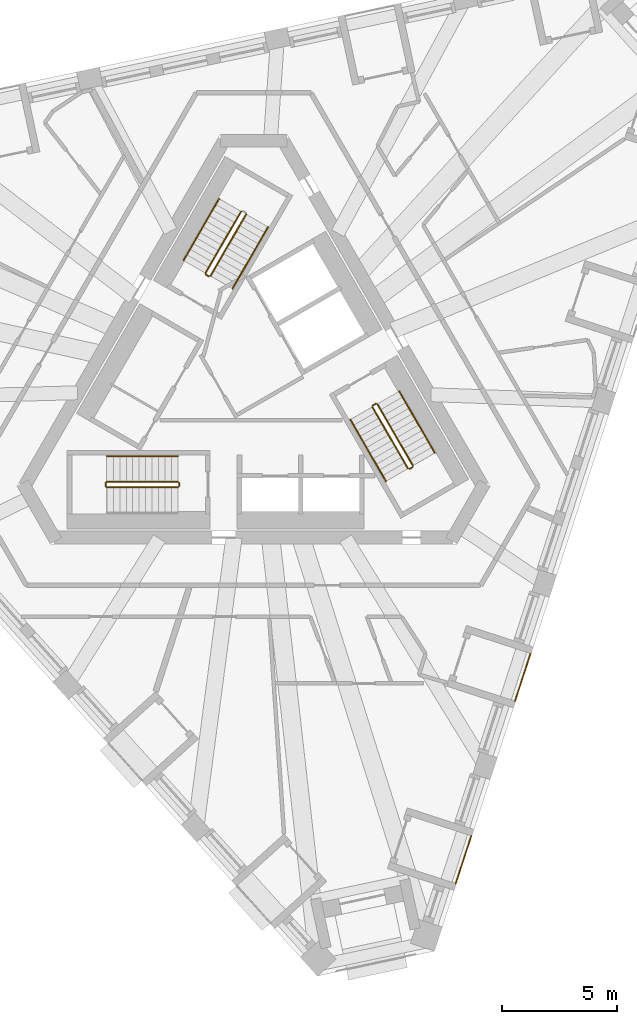
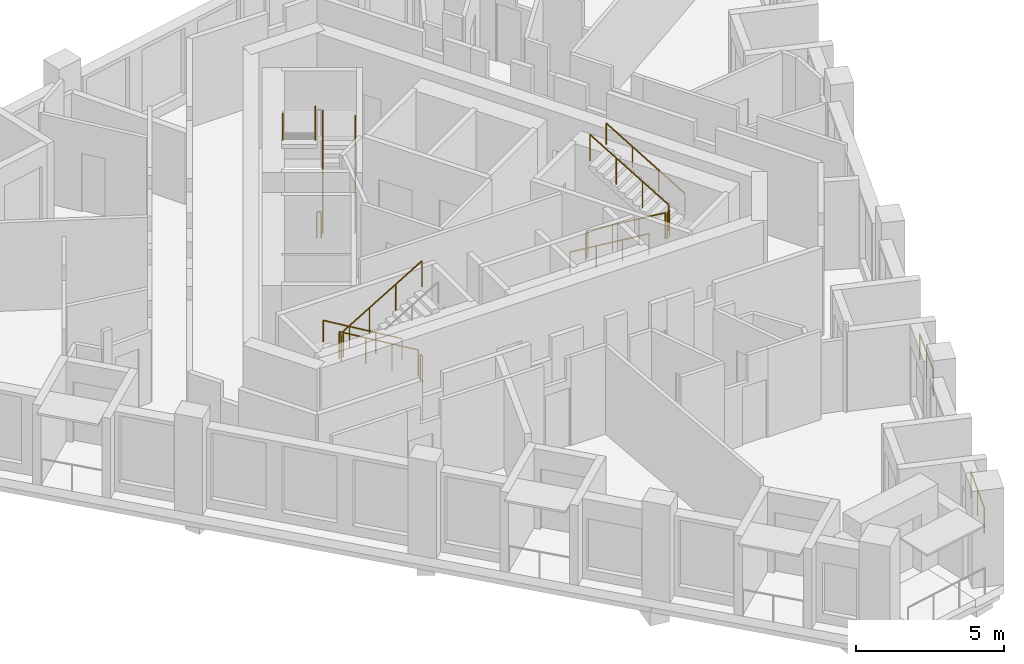
# One storey, part 10 of 12: 18 railings.
"""IFC4 building model written with IfcOpenShell, lengths in metres."""

from ifc_helpers import new_model, si_unit, direction, frame, origin, origin_2d, place, context, subcontext, project, spatial, circle, extrude, material, type_object, element, save


model = new_model("IFC4")

# Units and contexts
model_context = context("Model", 3, precision=1e-05, world=origin(), true_north=direction((0.0, 1.0)))
body_context = subcontext(model_context, "Body", "Model", "MODEL_VIEW")
ifc_project = project(units=[si_unit("LENGTHUNIT", "METRE"), si_unit("AREAUNIT", "SQUARE_METRE"), si_unit("VOLUMEUNIT", "CUBIC_METRE"), si_unit("PLANEANGLEUNIT", "RADIAN"), si_unit("MASSUNIT", "GRAM", prefix="KILO")], contexts=[model_context])

# Site, building, storey
site_placement = place(None, origin())
site = spatial("IfcSite", under=ifc_project, at=site_placement, CompositionType="ELEMENT")
building_placement = place(site_placement, origin())
building = spatial("IfcBuilding", under=site, at=building_placement, Name="Tramontana Tower", CompositionType="ELEMENT")
storey_placement = place(building_placement, frame((0.0, 0.0, 340.39990234375)))
storey = spatial("IfcBuildingStorey", under=building, at=storey_placement, Name="L78", CompositionType="ELEMENT", Elevation=340.39990234375)

# Railings
ifc_material_1 = material(Name="Laminated glass balustrade", Category="glass")
railing_type_1 = type_object("IfcRailingType", Name="GD1 Loggia glass balustrade 1100", PredefinedType="BALUSTRADE", material=ifc_material_1)
for number, where, name in (
    (1, (8.763671875, -21.472412109375, 0.0), "Loggia balustrade L78 G8S1.1"),
    (2, (11.332763671875, -13.5654296875, 0.0), "Loggia balustrade L78 G8S1.4"),
):
    element("IfcRailing", number, at=place(storey_placement, frame(where)), inside=storey, type_object=railing_type_1, Name=name, PredefinedType="BALUSTRADE", context=body_context, shape_type="SweptSolid", body=[
        extrude(circle(Radius=0.02392578125, at=origin_2d()), frame((0.0, 0.0, 1.076171875), z_axis=(0.308999623589, 0.95106216023, 0.0), x_axis=(-0.95106216023, 0.308999623589, 0.0)), (0.0, 0.0, 1.0), 2.171142578125),
        extrude(circle(Radius=0.02099609375, at=origin_2d()), origin(), (0.0, 0.0, 1.0), 1.052001953125),
        extrude(circle(Radius=0.02099609375, at=origin_2d()), frame((0.33544921875, 1.032470703125, 0.0)), (0.0, 0.0, 1.0), 1.052001953125),
        extrude(circle(Radius=0.02099609375, at=origin_2d()), frame((0.6708984375, 2.06494140625, 0.0)), (0.0, 0.0, 1.0), 1.052001953125),
    ])
ifc_material_2 = material(Name="Painted steel", Category="steel")
railing_type_2 = type_object("IfcRailingType", Name="STAIR GUARD 1100", PredefinedType="GUARDRAIL", material=ifc_material_2)
railing_1_placement = place(storey_placement, frame((-1.867431640625, 4.865478515625, 0.166748046875)))
element("IfcRailing", 3, at=railing_1_placement, inside=storey, type_object=railing_type_2, Name="L78 ST1 stair guard 1", PredefinedType="GUARDRAIL", context=body_context, shape_type="SweptSolid", body=[
    extrude(circle(Radius=0.02392578125, at=origin_2d()), frame((0.0, 0.0, 1.076171875), z_axis=(0.429649414936, 0.744189839504, 0.511451721109), x_axis=(-0.866029832698, 0.499992328818, 0.0)), (0.0, 0.0, 1.0), 3.58447265625),
    extrude(circle(Radius=0.02099609375, at=origin_2d()), origin(), (0.0, 0.0, 1.0), 1.052001953125),
    extrude(circle(Radius=0.02099609375, at=origin_2d()), frame((0.513427734375, 0.88916015625, 0.611083984375)), (0.0, 0.0, 1.0), 1.052001953125),
    extrude(circle(Radius=0.02099609375, at=origin_2d()), frame((1.026611328125, 1.7783203125, 1.22216796875)), (0.0, 0.0, 1.0), 1.052001953125),
    extrude(circle(Radius=0.02099609375, at=origin_2d()), frame((1.5400390625, 2.66748046875, 1.833251953125)), (0.0, 0.0, 1.0), 1.052001953125),
])
railing_2_placement = place(storey_placement, frame((-0.5439453125, 7.657958984375, 2.166748046875)))
element("IfcRailing", 4, at=railing_2_placement, inside=storey, type_object=railing_type_2, Name="L78 ST1 stair guard 2", PredefinedType="GUARDRAIL", context=body_context, shape_type="SweptSolid", body=[
    extrude(circle(Radius=0.02392578125, at=origin_2d()), frame((0.0, 0.0, 1.076171875), z_axis=(-0.429649414936, -0.744189839504, 0.511451721109), x_axis=(0.866029832698, -0.499992328818, 0.0)), (0.0, 0.0, 1.0), 3.58447265625),
    extrude(circle(Radius=0.02099609375, at=origin_2d()), origin(), (0.0, 0.0, 1.0), 1.052001953125),
    extrude(circle(Radius=0.02099609375, at=origin_2d()), frame((-0.513427734375, -0.88916015625, 0.611083984375)), (0.0, 0.0, 1.0), 1.052001953125),
    extrude(circle(Radius=0.02099609375, at=origin_2d()), frame((-1.026611328125, -1.7783203125, 1.22216796875)), (0.0, 0.0, 1.0), 1.052001953125),
    extrude(circle(Radius=0.02099609375, at=origin_2d()), frame((-1.5400390625, -2.66748046875, 1.833251953125)), (0.0, 0.0, 1.0), 1.052001953125),
])
railing_3_placement = place(storey_placement, frame((-1.935791015625, 4.84716796875, 0.0)))
element("IfcRailing", 5, at=railing_3_placement, inside=storey, type_object=railing_type_2, Name="L78 ST1 stair guard 4", PredefinedType="GUARDRAIL", context=body_context, shape_type="SweptSolid", body=[
    extrude(circle(Radius=0.02392578125, at=origin_2d()), frame((0.0, 0.0, 1.076171875), z_axis=(-0.865426285481, 0.501036270542, 0.0), x_axis=(-0.501036270542, -0.865426285481, 0.0)), (0.0, 0.0, 1.0), 0.150146484375),
    extrude(circle(Radius=0.02099609375, at=origin_2d()), origin(), (0.0, 0.0, 1.0), 1.052001953125),
    extrude(circle(Radius=0.02099609375, at=origin_2d()), frame((-0.1298828125, 0.0751953125, 0.0)), (0.0, 0.0, 1.0), 1.052001953125),
])
railing_4_placement = place(storey_placement, frame((-3.280029296875, -4.050048828125, 0.166748046875)))
element("IfcRailing", 6, at=railing_4_placement, inside=storey, type_object=railing_type_2, Name="L78 ST2 stair guard 1", PredefinedType="GUARDRAIL", context=body_context, shape_type="SweptSolid", body=[
    extrude(circle(Radius=0.02392578125, at=origin_2d()), frame((0.0, 0.0, 1.076171875), z_axis=(-0.859308565015, 0.0, 0.511457515432), x_axis=(0.0, -1.0, 0.0)), (0.0, 0.0, 1.0), 3.58447265625),
    extrude(circle(Radius=0.02099609375, at=origin_2d()), origin(), (0.0, 0.0, 1.0), 1.052001953125),
    extrude(circle(Radius=0.02099609375, at=origin_2d()), frame((-1.026611328125, 0.0, 0.611083984375)), (0.0, 0.0, 1.0), 1.052001953125),
    extrude(circle(Radius=0.02099609375, at=origin_2d()), frame((-2.053466796875, 0.0, 1.22216796875)), (0.0, 0.0, 1.0), 1.052001953125),
    extrude(circle(Radius=0.02099609375, at=origin_2d()), frame((-3.080078125, 0.0, 1.833251953125)), (0.0, 0.0, 1.0), 1.052001953125),
])
railing_5_placement = place(storey_placement, frame((-6.360107421875, -4.300048828125, 2.166748046875)))
element("IfcRailing", 7, at=railing_5_placement, inside=storey, type_object=railing_type_2, Name="L78 ST2 stair guard 2", PredefinedType="GUARDRAIL", context=body_context, shape_type="SweptSolid", body=[
    extrude(circle(Radius=0.02392578125, at=origin_2d()), frame((0.0, 0.0, 1.076171875), z_axis=(0.859308565015, 0.0, 0.511457515432), x_axis=(0.0, 1.0, 0.0)), (0.0, 0.0, 1.0), 3.58447265625),
    extrude(circle(Radius=0.02099609375, at=origin_2d()), origin(), (0.0, 0.0, 1.0), 1.052001953125),
    extrude(circle(Radius=0.02099609375, at=origin_2d()), frame((1.026611328125, 0.0, 0.611083984375)), (0.0, 0.0, 1.0), 1.052001953125),
    extrude(circle(Radius=0.02099609375, at=origin_2d()), frame((2.053466796875, 0.0, 1.22216796875)), (0.0, 0.0, 1.0), 1.052001953125),
    extrude(circle(Radius=0.02099609375, at=origin_2d()), frame((3.080078125, 0.0, 1.833251953125)), (0.0, 0.0, 1.0), 1.052001953125),
])
for number, where, name in (
    (8, (-6.409912109375, -4.10009765625, 2.0), "L78 ST2 stair guard 3"),
    (9, (-3.22998046875, -4.10009765625, 0.0), "L78 ST2 stair guard 4"),
):
    element("IfcRailing", number, at=place(storey_placement, frame(where)), inside=storey, type_object=railing_type_2, Name=name, PredefinedType="GUARDRAIL", context=body_context, shape_type="SweptSolid", body=[
        extrude(circle(Radius=0.02392578125, at=origin_2d()), frame((0.0, 0.0, 1.076171875), z_axis=(0.0, -1.0, 0.0), x_axis=(1.0, 0.0, 0.0)), (0.0, 0.0, 1.0), 0.14990234375),
        extrude(circle(Radius=0.02099609375, at=origin_2d()), origin(), (0.0, 0.0, 1.0), 1.052001953125),
        extrude(circle(Radius=0.02099609375, at=origin_2d()), frame((0.0, -0.14990234375, 0.0)), (0.0, 0.0, 1.0), 1.052001953125),
    ])
railing_6_placement = place(storey_placement, frame((5.1474609375, -0.815673828125, 0.166748046875)))
element("IfcRailing", 10, at=railing_6_placement, inside=storey, type_object=railing_type_2, Name="L78 ST3 stair guard 1", PredefinedType="GUARDRAIL", context=body_context, shape_type="SweptSolid", body=[
    extrude(circle(Radius=0.02392578125, at=origin_2d()), frame((0.0, 0.0, 1.076171875), z_axis=(0.429671193721, -0.744159446956, 0.511477646425), x_axis=(0.866010015463, 0.500026652407, 0.0)), (0.0, 0.0, 1.0), 3.584228515625),
    extrude(circle(Radius=0.02099609375, at=origin_2d()), origin(), (0.0, 0.0, 1.0), 1.052001953125),
    extrude(circle(Radius=0.02099609375, at=origin_2d()), frame((0.513427734375, -0.88916015625, 0.611083984375)), (0.0, 0.0, 1.0), 1.052001953125),
    extrude(circle(Radius=0.02099609375, at=origin_2d()), frame((1.026611328125, -1.778076171875, 1.22216796875)), (0.0, 0.0, 1.0), 1.052001953125),
    extrude(circle(Radius=0.02099609375, at=origin_2d()), frame((1.5400390625, -2.667236328125, 1.833251953125)), (0.0, 0.0, 1.0), 1.052001953125),
])
railing_7_placement = place(storey_placement, frame((6.90380859375, -3.35791015625, 2.166748046875)))
element("IfcRailing", 11, at=railing_7_placement, inside=storey, type_object=railing_type_2, Name="L78 ST3 stair guard 2", PredefinedType="GUARDRAIL", context=body_context, shape_type="SweptSolid", body=[
    extrude(circle(Radius=0.02392578125, at=origin_2d()), frame((0.0, 0.0, 1.076171875), z_axis=(-0.429615651263, 0.74418122563, 0.511492615401), x_axis=(-0.866044340336, -0.499967199496, 0.0)), (0.0, 0.0, 1.0), 3.584228515625),
    extrude(circle(Radius=0.02099609375, at=origin_2d()), origin(), (0.0, 0.0, 1.0), 1.052001953125),
    extrude(circle(Radius=0.02099609375, at=origin_2d()), frame((-0.51318359375, 0.88916015625, 0.611083984375)), (0.0, 0.0, 1.0), 1.052001953125),
    extrude(circle(Radius=0.02099609375, at=origin_2d()), frame((-1.026611328125, 1.778076171875, 1.22216796875)), (0.0, 0.0, 1.0), 1.052001953125),
    extrude(circle(Radius=0.02099609375, at=origin_2d()), frame((-1.539794921875, 2.667236328125, 1.833251953125)), (0.0, 0.0, 1.0), 1.052001953125),
])
for number, where, name in (
    (12, (6.755615234375, -3.501220703125, 2.0), "L78 ST3 stair guard 3"),
    (13, (5.165771484375, -0.747314453125, 0.0), "L78 ST3 stair guard 4"),
):
    element("IfcRailing", number, at=place(storey_placement, frame(where)), inside=storey, type_object=railing_type_2, Name=name, PredefinedType="GUARDRAIL", context=body_context, shape_type="SweptSolid", body=[
        extrude(circle(Radius=0.02392578125, at=origin_2d()), frame((0.0, 0.0, 1.076171875), z_axis=(0.866131372301, 0.499816412211, 0.0), x_axis=(-0.499816412211, 0.866131372301, 0.0)), (0.0, 0.0, 1.0), 0.14990234375),
        extrude(circle(Radius=0.02099609375, at=origin_2d()), origin(), (0.0, 0.0, 1.0), 1.052001953125),
        extrude(circle(Radius=0.02099609375, at=origin_2d()), frame((0.1298828125, 0.074951171875, 0.0)), (0.0, 0.0, 1.0), 1.052001953125),
    ])
ifc_material_3 = material(Name="Painted steel", Category="steel")
railing_type_3 = type_object("IfcRailingType", Name="STAIR HANDRAIL 900", PredefinedType="HANDRAIL", material=ifc_material_3)
railing_8_placement = place(storey_placement, frame((-0.914794921875, 4.315673828125, 0.166748046875)))
element("IfcRailing", 14, at=railing_8_placement, inside=storey, type_object=railing_type_3, Name="L78 ST1 stair handrail 1", PredefinedType="HANDRAIL", context=body_context, shape_type="SweptSolid", body=[
    extrude(circle(Radius=0.02392578125, at=origin_2d()), frame((0.0, 0.0, 0.8759765625), z_axis=(0.429671193721, 0.744159446956, 0.511477646425), x_axis=(-0.866010015463, 0.500026652407, 0.0)), (0.0, 0.0, 1.0), 3.584228515625),
    extrude(circle(Radius=0.02099609375, at=origin_2d()), origin(), (0.0, 0.0, 1.0), 0.851806640625),
    extrude(circle(Radius=0.02099609375, at=origin_2d()), frame((0.513427734375, 0.88916015625, 0.611083984375)), (0.0, 0.0, 1.0), 0.851806640625),
    extrude(circle(Radius=0.02099609375, at=origin_2d()), frame((1.026611328125, 1.778076171875, 1.22216796875)), (0.0, 0.0, 1.0), 0.851806640625),
    extrude(circle(Radius=0.02099609375, at=origin_2d()), frame((1.5400390625, 2.667236328125, 1.833251953125)), (0.0, 0.0, 1.0), 0.851806640625),
])
railing_9_placement = place(storey_placement, frame((-1.49658203125, 8.2080078125, 2.166748046875)))
element("IfcRailing", 15, at=railing_9_placement, inside=storey, type_object=railing_type_3, Name="L78 ST1 stair handrail 2", PredefinedType="HANDRAIL", context=body_context, shape_type="SweptSolid", body=[
    extrude(circle(Radius=0.02392578125, at=origin_2d()), frame((0.0, 0.0, 0.8759765625), z_axis=(-0.429649414936, -0.744189839504, 0.511451721109), x_axis=(0.866029832698, -0.499992328818, 0.0)), (0.0, 0.0, 1.0), 3.58447265625),
    extrude(circle(Radius=0.02099609375, at=origin_2d()), origin(), (0.0, 0.0, 1.0), 0.851806640625),
    extrude(circle(Radius=0.02099609375, at=origin_2d()), frame((-0.513427734375, -0.88916015625, 0.611083984375)), (0.0, 0.0, 1.0), 0.851806640625),
    extrude(circle(Radius=0.02099609375, at=origin_2d()), frame((-1.026611328125, -1.7783203125, 1.22216796875)), (0.0, 0.0, 1.0), 0.851806640625),
    extrude(circle(Radius=0.02099609375, at=origin_2d()), frame((-1.5400390625, -2.66748046875, 1.833251953125)), (0.0, 0.0, 1.0), 0.851806640625),
])
railing_10_placement = place(storey_placement, frame((-3.280029296875, -2.949951171875, 0.166748046875)))
element("IfcRailing", 16, at=railing_10_placement, inside=storey, type_object=railing_type_3, Name="L78 ST2 stair handrail 1", PredefinedType="HANDRAIL", context=body_context, shape_type="SweptSolid", body=[
    extrude(circle(Radius=0.02392578125, at=origin_2d()), frame((0.0, 0.0, 0.8759765625), z_axis=(-0.859308565015, 0.0, 0.511457515432), x_axis=(0.0, -1.0, 0.0)), (0.0, 0.0, 1.0), 3.58447265625),
    extrude(circle(Radius=0.02099609375, at=origin_2d()), origin(), (0.0, 0.0, 1.0), 0.851806640625),
    extrude(circle(Radius=0.02099609375, at=origin_2d()), frame((-1.026611328125, 0.0, 0.611083984375)), (0.0, 0.0, 1.0), 0.851806640625),
    extrude(circle(Radius=0.02099609375, at=origin_2d()), frame((-2.053466796875, 0.0, 1.22216796875)), (0.0, 0.0, 1.0), 0.851806640625),
    extrude(circle(Radius=0.02099609375, at=origin_2d()), frame((-3.080078125, 0.0, 1.833251953125)), (0.0, 0.0, 1.0), 0.851806640625),
])
railing_11_placement = place(storey_placement, frame((4.19482421875, -1.365478515625, 0.166748046875)))
element("IfcRailing", 17, at=railing_11_placement, inside=storey, type_object=railing_type_3, Name="L78 ST3 stair handrail 1", PredefinedType="HANDRAIL", context=body_context, shape_type="SweptSolid", body=[
    extrude(circle(Radius=0.02392578125, at=origin_2d()), frame((0.0, 0.0, 0.8759765625), z_axis=(0.429649414936, -0.744189839504, 0.511451721109), x_axis=(0.866029832698, 0.499992328818, 0.0)), (0.0, 0.0, 1.0), 3.58447265625),
    extrude(circle(Radius=0.02099609375, at=origin_2d()), origin(), (0.0, 0.0, 1.0), 0.851806640625),
    extrude(circle(Radius=0.02099609375, at=origin_2d()), frame((0.513427734375, -0.88916015625, 0.611083984375)), (0.0, 0.0, 1.0), 0.851806640625),
    extrude(circle(Radius=0.02099609375, at=origin_2d()), frame((1.026611328125, -1.7783203125, 1.22216796875)), (0.0, 0.0, 1.0), 0.851806640625),
    extrude(circle(Radius=0.02099609375, at=origin_2d()), frame((1.5400390625, -2.66748046875, 1.833251953125)), (0.0, 0.0, 1.0), 0.851806640625),
])
railing_12_placement = place(storey_placement, frame((7.8564453125, -2.807861328125, 2.166748046875)))
element("IfcRailing", 18, at=railing_12_placement, inside=storey, type_object=railing_type_3, Name="L78 ST3 stair handrail 2", PredefinedType="HANDRAIL", context=body_context, shape_type="SweptSolid", body=[
    extrude(circle(Radius=0.02392578125, at=origin_2d()), frame((0.0, 0.0, 0.8759765625), z_axis=(-0.429615651263, 0.74418122563, 0.511492615401), x_axis=(-0.866044340336, -0.499967199496, 0.0)), (0.0, 0.0, 1.0), 3.584228515625),
    extrude(circle(Radius=0.02099609375, at=origin_2d()), origin(), (0.0, 0.0, 1.0), 0.851806640625),
    extrude(circle(Radius=0.02099609375, at=origin_2d()), frame((-0.51318359375, 0.88916015625, 0.611083984375)), (0.0, 0.0, 1.0), 0.851806640625),
    extrude(circle(Radius=0.02099609375, at=origin_2d()), frame((-1.026611328125, 1.778076171875, 1.22216796875)), (0.0, 0.0, 1.0), 0.851806640625),
    extrude(circle(Radius=0.02099609375, at=origin_2d()), frame((-1.539794921875, 2.667236328125, 1.833251953125)), (0.0, 0.0, 1.0), 0.851806640625),
])

save(model, "model.ifc")
